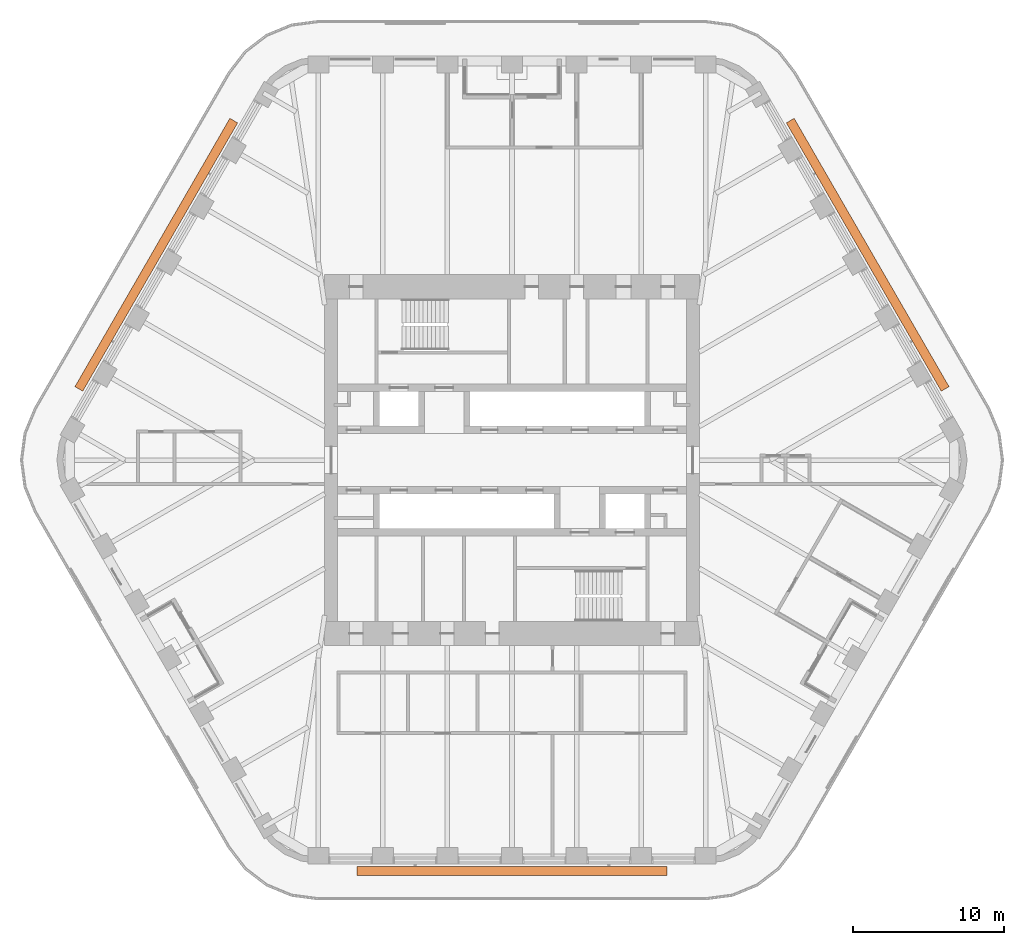
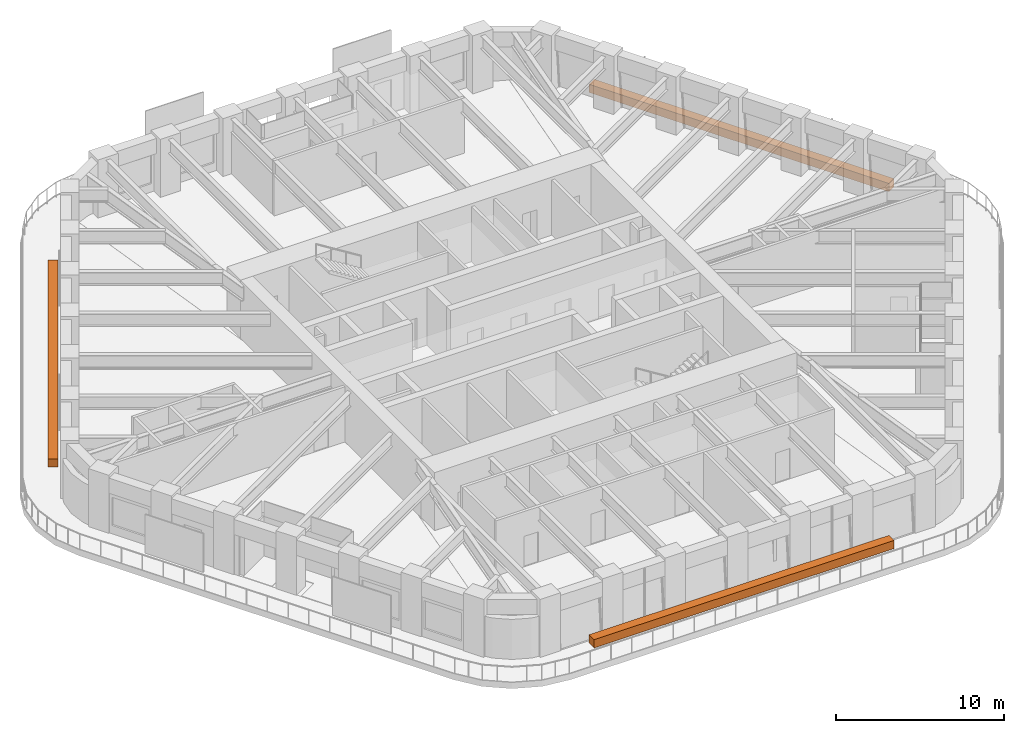
# One storey, part 19 of 19: 3 proxies.
"""IFC4 building model written with IfcOpenShell, lengths in metres."""

from ifc_helpers import new_model, si_unit, direction, frame, origin, origin_2d, place, context, subcontext, project, spatial, rectangle, extrude, material, element, save


model = new_model("IFC4")

# Units and contexts
model_context = context("Model", 3, precision=1e-05, world=origin(), true_north=direction((0.0, 1.0)))
body_context = subcontext(model_context, "Body", "Model", "MODEL_VIEW")
ifc_project = project(units=[si_unit("LENGTHUNIT", "METRE"), si_unit("AREAUNIT", "SQUARE_METRE"), si_unit("VOLUMEUNIT", "CUBIC_METRE"), si_unit("PLANEANGLEUNIT", "RADIAN"), si_unit("MASSUNIT", "GRAM", prefix="KILO")], contexts=[model_context])

# Site, building, storey
site_placement = place(None, origin())
site = spatial("IfcSite", under=ifc_project, at=site_placement, CompositionType="ELEMENT")
building_placement = place(site_placement, origin())
building = spatial("IfcBuilding", under=site, at=building_placement, Name="Tarfa Lantern Tower", CompositionType="ELEMENT")
storey_placement = place(building_placement, frame((0.0, 0.0, 328.300048828125)))
storey = spatial("IfcBuildingStorey", under=building, at=storey_placement, Name="L74", CompositionType="ELEMENT", Elevation=328.300048828125)

# Proxies
ifc_material = material(Name="Planting bed")
for number, where, z_axis, x_axis, name in (
    (1, (23.59912109375, 13.625, 0.0), (0.0, 0.0, 1.0), (-0.5, 0.866025403784, 0.0), "Balcony planter"),
    (2, (-23.59912109375, 13.625, 0.0), (0.0, 0.0, 1.0), (-0.5, -0.866025403784, 0.0), "Balcony planter"),
    (3, (0.0, -27.25, 0.0), (0.0, 0.0, 1.0), (1.0, 0.0, 0.0), "Balcony planter"),
):
    element("IfcBuildingElementProxy", number, at=place(storey_placement, frame(where, z_axis=z_axis, x_axis=x_axis)), inside=storey, material=ifc_material, Name=name, ObjectType="PLANTER", PredefinedType="USERDEFINED", context=body_context, shape_type="SweptSolid", body=[
        extrude(rectangle(XDim=20.5537109375, YDim=0.60009765625, at=origin_2d()), origin(), (0.0, 0.0, 1.0), 0.60009765625),
    ])

save(model, "model.ifc")
